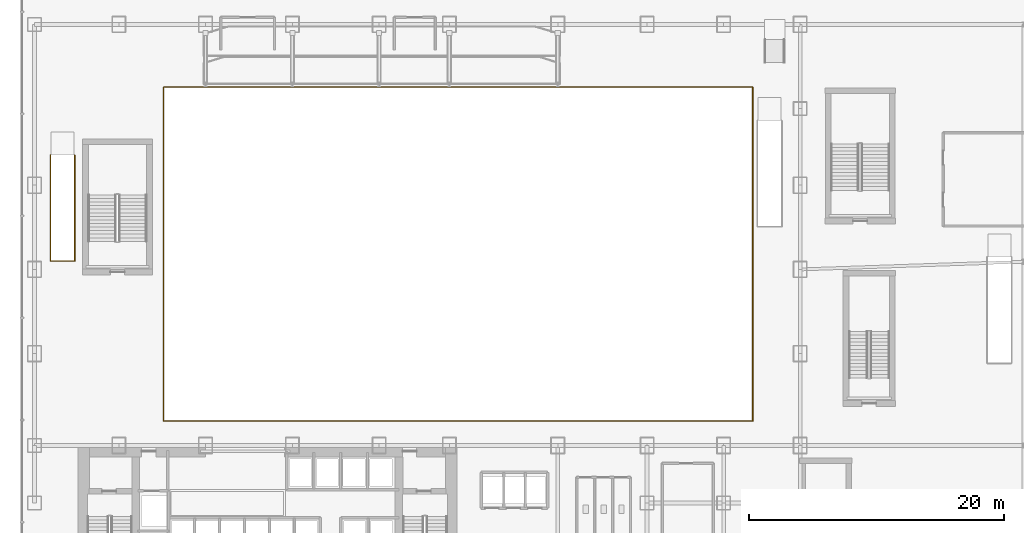
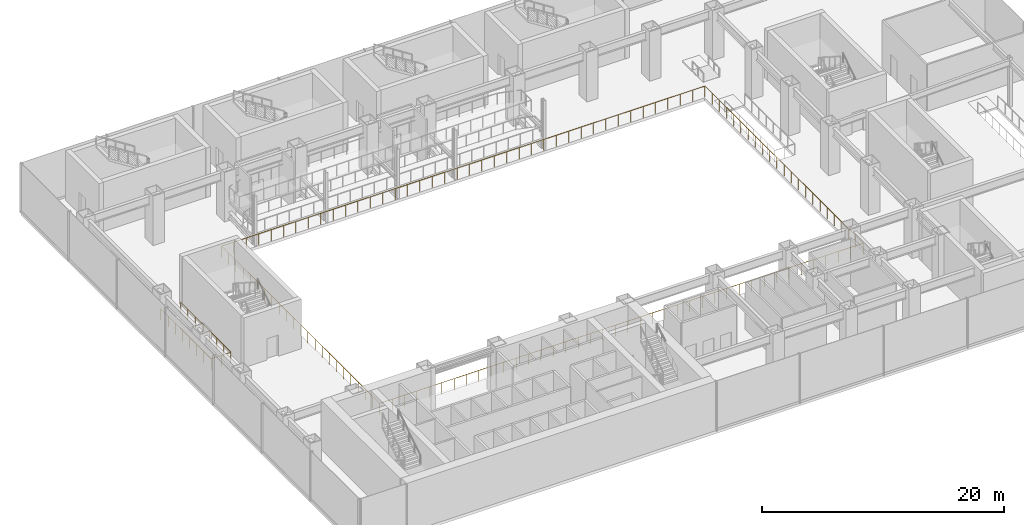
# One storey, part 34 of 39: 2 railings.
"""IFC4 building model written with IfcOpenShell, lengths in metres."""

from ifc_helpers import new_model, si_unit, derived_unit, direction, frame, origin, origin_2d, place, context, subcontext, project, spatial, circle, extrude, material, type_object, element, save


model = new_model("IFC4")

# Units and contexts
model_context = context("Model", 3, precision=1e-05, world=origin(), true_north=direction((0.0, 1.0)))
body_context = subcontext(model_context, "Body", "Model", "MODEL_VIEW")
ifc_project = project(units=[si_unit("LENGTHUNIT", "METRE"), si_unit("AREAUNIT", "SQUARE_METRE"), si_unit("VOLUMEUNIT", "CUBIC_METRE"), si_unit("PLANEANGLEUNIT", "RADIAN"), si_unit("MASSUNIT", "GRAM", prefix="KILO"), derived_unit("THERMALTRANSMITTANCEUNIT", [(si_unit("POWERUNIT", "WATT"), 1), (si_unit("LENGTHUNIT", "METRE"), -2), (si_unit("THERMODYNAMICTEMPERATUREUNIT", "KELVIN"), -1)])], contexts=[model_context])

# Site, building, storey
site_placement = place(None, origin())
site = spatial("IfcSite", under=ifc_project, at=site_placement, CompositionType="ELEMENT")
building_placement = place(site_placement, origin())
building = spatial("IfcBuilding", under=site, at=building_placement, Name="Skarnbrae Concourse Arena and Tower", CompositionType="ELEMENT")
storey_placement = place(building_placement, frame((0.0, 0.0, 11.0)))
storey = spatial("IfcBuildingStorey", under=building, at=storey_placement, Name="L02", CompositionType="ELEMENT", Elevation=11.0)

# Railings
ifc_material = material(Name="Steel CSA G40.21 350W", Category="steel")
railing_type_1 = type_object("IfcRailingType", Name="RAIL-GUARD-1150", PredefinedType="GUARDRAIL", material=ifc_material)
railing_1_placement = place(storey_placement, frame((11.1201171875, 15.919921875, 0.0)))
element("IfcRailing", 1, at=railing_1_placement, inside=storey, type_object=railing_type_1, Name="L02 Arena bowl concourse overlook guardrail", PredefinedType="GUARDRAIL", context=body_context, shape_type="SweptSolid", body=[
    extrude(circle(Radius=0.02392578125, at=origin_2d()), frame((0.0, 0.0, 1.1259765625), z_axis=(1.0, 0.0, 0.0), x_axis=(0.0, 1.0, 0.0)), (0.0, 0.0, 1.0), 46.159912109375),
    extrude(circle(Radius=0.02392578125, at=origin_2d()), frame((46.159912109375, 0.0, 1.1259765625), z_axis=(0.0, 1.0, 0.0), x_axis=(-1.0, 0.0, 0.0)), (0.0, 0.0, 1.0), 26.16015625),
    extrude(circle(Radius=0.02392578125, at=origin_2d()), frame((46.159912109375, 26.16015625, 1.1259765625), z_axis=(-1.0, 0.0, 0.0), x_axis=(0.0, -1.0, 0.0)), (0.0, 0.0, 1.0), 46.159912109375),
    extrude(circle(Radius=0.02392578125, at=origin_2d()), frame((0.0, 26.16015625, 1.1259765625), z_axis=(0.0, -1.0, 0.0), x_axis=(1.0, 0.0, 0.0)), (0.0, 0.0, 1.0), 26.16015625),
    extrude(circle(Radius=0.02099609375, at=origin_2d()), origin(), (0.0, 0.0, 1.0), 1.101806640625),
    extrude(circle(Radius=0.02099609375, at=origin_2d()), frame((1.18359375, 0.0, 0.0)), (0.0, 0.0, 1.0), 1.101806640625),
    extrude(circle(Radius=0.02099609375, at=origin_2d()), frame((2.3671875, 0.0, 0.0)), (0.0, 0.0, 1.0), 1.101806640625),
    extrude(circle(Radius=0.02099609375, at=origin_2d()), frame((3.55078125, 0.0, 0.0)), (0.0, 0.0, 1.0), 1.101806640625),
    extrude(circle(Radius=0.02099609375, at=origin_2d()), frame((4.734375, 0.0, 0.0)), (0.0, 0.0, 1.0), 1.101806640625),
    extrude(circle(Radius=0.02099609375, at=origin_2d()), frame((5.91796875, 0.0, 0.0)), (0.0, 0.0, 1.0), 1.101806640625),
    extrude(circle(Radius=0.02099609375, at=origin_2d()), frame((7.1015625, 0.0, 0.0)), (0.0, 0.0, 1.0), 1.101806640625),
    extrude(circle(Radius=0.02099609375, at=origin_2d()), frame((8.28515625, 0.0, 0.0)), (0.0, 0.0, 1.0), 1.101806640625),
    extrude(circle(Radius=0.02099609375, at=origin_2d()), frame((9.46875, 0.0, 0.0)), (0.0, 0.0, 1.0), 1.101806640625),
    extrude(circle(Radius=0.02099609375, at=origin_2d()), frame((10.65234375, 0.0, 0.0)), (0.0, 0.0, 1.0), 1.101806640625),
    extrude(circle(Radius=0.02099609375, at=origin_2d()), frame((11.8359375, 0.0, 0.0)), (0.0, 0.0, 1.0), 1.101806640625),
    extrude(circle(Radius=0.02099609375, at=origin_2d()), frame((13.01953125, 0.0, 0.0)), (0.0, 0.0, 1.0), 1.101806640625),
    extrude(circle(Radius=0.02099609375, at=origin_2d()), frame((14.203125, 0.0, 0.0)), (0.0, 0.0, 1.0), 1.101806640625),
    extrude(circle(Radius=0.02099609375, at=origin_2d()), frame((15.38671875, 0.0, 0.0)), (0.0, 0.0, 1.0), 1.101806640625),
    extrude(circle(Radius=0.02099609375, at=origin_2d()), frame((16.5703125, 0.0, 0.0)), (0.0, 0.0, 1.0), 1.101806640625),
    extrude(circle(Radius=0.02099609375, at=origin_2d()), frame((17.75390625, 0.0, 0.0)), (0.0, 0.0, 1.0), 1.101806640625),
    extrude(circle(Radius=0.02099609375, at=origin_2d()), frame((18.9375, 0.0, 0.0)), (0.0, 0.0, 1.0), 1.101806640625),
    extrude(circle(Radius=0.02099609375, at=origin_2d()), frame((20.12109375, 0.0, 0.0)), (0.0, 0.0, 1.0), 1.101806640625),
    extrude(circle(Radius=0.02099609375, at=origin_2d()), frame((21.3046875, 0.0, 0.0)), (0.0, 0.0, 1.0), 1.101806640625),
    extrude(circle(Radius=0.02099609375, at=origin_2d()), frame((22.48828125, 0.0, 0.0)), (0.0, 0.0, 1.0), 1.101806640625),
    extrude(circle(Radius=0.02099609375, at=origin_2d()), frame((23.671630859375, 0.0, 0.0)), (0.0, 0.0, 1.0), 1.101806640625),
    extrude(circle(Radius=0.02099609375, at=origin_2d()), frame((24.855224609375, 0.0, 0.0)), (0.0, 0.0, 1.0), 1.101806640625),
    extrude(circle(Radius=0.02099609375, at=origin_2d()), frame((26.038818359375, 0.0, 0.0)), (0.0, 0.0, 1.0), 1.101806640625),
    extrude(circle(Radius=0.02099609375, at=origin_2d()), frame((27.222412109375, 0.0, 0.0)), (0.0, 0.0, 1.0), 1.101806640625),
    extrude(circle(Radius=0.02099609375, at=origin_2d()), frame((28.406005859375, 0.0, 0.0)), (0.0, 0.0, 1.0), 1.101806640625),
    extrude(circle(Radius=0.02099609375, at=origin_2d()), frame((29.589599609375, 0.0, 0.0)), (0.0, 0.0, 1.0), 1.101806640625),
    extrude(circle(Radius=0.02099609375, at=origin_2d()), frame((30.773193359375, 0.0, 0.0)), (0.0, 0.0, 1.0), 1.101806640625),
    extrude(circle(Radius=0.02099609375, at=origin_2d()), frame((31.956787109375, 0.0, 0.0)), (0.0, 0.0, 1.0), 1.101806640625),
    extrude(circle(Radius=0.02099609375, at=origin_2d()), frame((33.140380859375, 0.0, 0.0)), (0.0, 0.0, 1.0), 1.101806640625),
    extrude(circle(Radius=0.02099609375, at=origin_2d()), frame((34.323974609375, 0.0, 0.0)), (0.0, 0.0, 1.0), 1.101806640625),
    extrude(circle(Radius=0.02099609375, at=origin_2d()), frame((35.507568359375, 0.0, 0.0)), (0.0, 0.0, 1.0), 1.101806640625),
    extrude(circle(Radius=0.02099609375, at=origin_2d()), frame((36.691162109375, 0.0, 0.0)), (0.0, 0.0, 1.0), 1.101806640625),
    extrude(circle(Radius=0.02099609375, at=origin_2d()), frame((37.874755859375, 0.0, 0.0)), (0.0, 0.0, 1.0), 1.101806640625),
    extrude(circle(Radius=0.02099609375, at=origin_2d()), frame((39.058349609375, 0.0, 0.0)), (0.0, 0.0, 1.0), 1.101806640625),
    extrude(circle(Radius=0.02099609375, at=origin_2d()), frame((40.241943359375, 0.0, 0.0)), (0.0, 0.0, 1.0), 1.101806640625),
    extrude(circle(Radius=0.02099609375, at=origin_2d()), frame((41.425537109375, 0.0, 0.0)), (0.0, 0.0, 1.0), 1.101806640625),
    extrude(circle(Radius=0.02099609375, at=origin_2d()), frame((42.609130859375, 0.0, 0.0)), (0.0, 0.0, 1.0), 1.101806640625),
    extrude(circle(Radius=0.02099609375, at=origin_2d()), frame((43.792724609375, 0.0, 0.0)), (0.0, 0.0, 1.0), 1.101806640625),
    extrude(circle(Radius=0.02099609375, at=origin_2d()), frame((44.976318359375, 0.0, 0.0)), (0.0, 0.0, 1.0), 1.101806640625),
    extrude(circle(Radius=0.02099609375, at=origin_2d()), frame((46.159912109375, 0.0, 0.0)), (0.0, 0.0, 1.0), 1.101806640625),
    extrude(circle(Radius=0.02099609375, at=origin_2d()), frame((46.159912109375, 1.189208984375, 0.0)), (0.0, 0.0, 1.0), 1.101806640625),
    extrude(circle(Radius=0.02099609375, at=origin_2d()), frame((46.159912109375, 2.378173828125, 0.0)), (0.0, 0.0, 1.0), 1.101806640625),
    extrude(circle(Radius=0.02099609375, at=origin_2d()), frame((46.159912109375, 3.5673828125, 0.0)), (0.0, 0.0, 1.0), 1.101806640625),
    extrude(circle(Radius=0.02099609375, at=origin_2d()), frame((46.159912109375, 4.75634765625, 0.0)), (0.0, 0.0, 1.0), 1.101806640625),
    extrude(circle(Radius=0.02099609375, at=origin_2d()), frame((46.159912109375, 5.945556640625, 0.0)), (0.0, 0.0, 1.0), 1.101806640625),
    extrude(circle(Radius=0.02099609375, at=origin_2d()), frame((46.159912109375, 7.134521484375, 0.0)), (0.0, 0.0, 1.0), 1.101806640625),
    extrude(circle(Radius=0.02099609375, at=origin_2d()), frame((46.159912109375, 8.32373046875, 0.0)), (0.0, 0.0, 1.0), 1.101806640625),
    extrude(circle(Radius=0.02099609375, at=origin_2d()), frame((46.159912109375, 9.5126953125, 0.0)), (0.0, 0.0, 1.0), 1.101806640625),
    extrude(circle(Radius=0.02099609375, at=origin_2d()), frame((46.159912109375, 10.701904296875, 0.0)), (0.0, 0.0, 1.0), 1.101806640625),
    extrude(circle(Radius=0.02099609375, at=origin_2d()), frame((46.159912109375, 11.890869140625, 0.0)), (0.0, 0.0, 1.0), 1.101806640625),
    extrude(circle(Radius=0.02099609375, at=origin_2d()), frame((46.159912109375, 13.080078125, 0.0)), (0.0, 0.0, 1.0), 1.101806640625),
    extrude(circle(Radius=0.02099609375, at=origin_2d()), frame((46.159912109375, 14.269287109375, 0.0)), (0.0, 0.0, 1.0), 1.101806640625),
    extrude(circle(Radius=0.02099609375, at=origin_2d()), frame((46.159912109375, 15.458251953125, 0.0)), (0.0, 0.0, 1.0), 1.101806640625),
    extrude(circle(Radius=0.02099609375, at=origin_2d()), frame((46.159912109375, 16.6474609375, 0.0)), (0.0, 0.0, 1.0), 1.101806640625),
    extrude(circle(Radius=0.02099609375, at=origin_2d()), frame((46.159912109375, 17.83642578125, 0.0)), (0.0, 0.0, 1.0), 1.101806640625),
    extrude(circle(Radius=0.02099609375, at=origin_2d()), frame((46.159912109375, 19.025634765625, 0.0)), (0.0, 0.0, 1.0), 1.101806640625),
    extrude(circle(Radius=0.02099609375, at=origin_2d()), frame((46.159912109375, 20.214599609375, 0.0)), (0.0, 0.0, 1.0), 1.101806640625),
    extrude(circle(Radius=0.02099609375, at=origin_2d()), frame((46.159912109375, 21.40380859375, 0.0)), (0.0, 0.0, 1.0), 1.101806640625),
    extrude(circle(Radius=0.02099609375, at=origin_2d()), frame((46.159912109375, 22.5927734375, 0.0)), (0.0, 0.0, 1.0), 1.101806640625),
    extrude(circle(Radius=0.02099609375, at=origin_2d()), frame((46.159912109375, 23.781982421875, 0.0)), (0.0, 0.0, 1.0), 1.101806640625),
    extrude(circle(Radius=0.02099609375, at=origin_2d()), frame((46.159912109375, 24.970947265625, 0.0)), (0.0, 0.0, 1.0), 1.101806640625),
    extrude(circle(Radius=0.02099609375, at=origin_2d()), frame((46.159912109375, 26.16015625, 0.0)), (0.0, 0.0, 1.0), 1.101806640625),
    extrude(circle(Radius=0.02099609375, at=origin_2d()), frame((44.976318359375, 26.16015625, 0.0)), (0.0, 0.0, 1.0), 1.101806640625),
    extrude(circle(Radius=0.02099609375, at=origin_2d()), frame((43.792724609375, 26.16015625, 0.0)), (0.0, 0.0, 1.0), 1.101806640625),
    extrude(circle(Radius=0.02099609375, at=origin_2d()), frame((42.609130859375, 26.16015625, 0.0)), (0.0, 0.0, 1.0), 1.101806640625),
    extrude(circle(Radius=0.02099609375, at=origin_2d()), frame((41.425537109375, 26.16015625, 0.0)), (0.0, 0.0, 1.0), 1.101806640625),
    extrude(circle(Radius=0.02099609375, at=origin_2d()), frame((40.241943359375, 26.16015625, 0.0)), (0.0, 0.0, 1.0), 1.101806640625),
    extrude(circle(Radius=0.02099609375, at=origin_2d()), frame((39.058349609375, 26.16015625, 0.0)), (0.0, 0.0, 1.0), 1.101806640625),
    extrude(circle(Radius=0.02099609375, at=origin_2d()), frame((37.874755859375, 26.16015625, 0.0)), (0.0, 0.0, 1.0), 1.101806640625),
    extrude(circle(Radius=0.02099609375, at=origin_2d()), frame((36.691162109375, 26.16015625, 0.0)), (0.0, 0.0, 1.0), 1.101806640625),
    extrude(circle(Radius=0.02099609375, at=origin_2d()), frame((35.507568359375, 26.16015625, 0.0)), (0.0, 0.0, 1.0), 1.101806640625),
    extrude(circle(Radius=0.02099609375, at=origin_2d()), frame((34.323974609375, 26.16015625, 0.0)), (0.0, 0.0, 1.0), 1.101806640625),
    extrude(circle(Radius=0.02099609375, at=origin_2d()), frame((33.140380859375, 26.16015625, 0.0)), (0.0, 0.0, 1.0), 1.101806640625),
    extrude(circle(Radius=0.02099609375, at=origin_2d()), frame((31.956787109375, 26.16015625, 0.0)), (0.0, 0.0, 1.0), 1.101806640625),
    extrude(circle(Radius=0.02099609375, at=origin_2d()), frame((30.773193359375, 26.16015625, 0.0)), (0.0, 0.0, 1.0), 1.101806640625),
    extrude(circle(Radius=0.02099609375, at=origin_2d()), frame((29.589599609375, 26.16015625, 0.0)), (0.0, 0.0, 1.0), 1.101806640625),
    extrude(circle(Radius=0.02099609375, at=origin_2d()), frame((28.406005859375, 26.16015625, 0.0)), (0.0, 0.0, 1.0), 1.101806640625),
    extrude(circle(Radius=0.02099609375, at=origin_2d()), frame((27.222412109375, 26.16015625, 0.0)), (0.0, 0.0, 1.0), 1.101806640625),
    extrude(circle(Radius=0.02099609375, at=origin_2d()), frame((26.038818359375, 26.16015625, 0.0)), (0.0, 0.0, 1.0), 1.101806640625),
    extrude(circle(Radius=0.02099609375, at=origin_2d()), frame((24.855224609375, 26.16015625, 0.0)), (0.0, 0.0, 1.0), 1.101806640625),
    extrude(circle(Radius=0.02099609375, at=origin_2d()), frame((23.671630859375, 26.16015625, 0.0)), (0.0, 0.0, 1.0), 1.101806640625),
    extrude(circle(Radius=0.02099609375, at=origin_2d()), frame((22.48828125, 26.16015625, 0.0)), (0.0, 0.0, 1.0), 1.101806640625),
    extrude(circle(Radius=0.02099609375, at=origin_2d()), frame((21.3046875, 26.16015625, 0.0)), (0.0, 0.0, 1.0), 1.101806640625),
    extrude(circle(Radius=0.02099609375, at=origin_2d()), frame((20.12109375, 26.16015625, 0.0)), (0.0, 0.0, 1.0), 1.101806640625),
    extrude(circle(Radius=0.02099609375, at=origin_2d()), frame((18.9375, 26.16015625, 0.0)), (0.0, 0.0, 1.0), 1.101806640625),
    extrude(circle(Radius=0.02099609375, at=origin_2d()), frame((17.75390625, 26.16015625, 0.0)), (0.0, 0.0, 1.0), 1.101806640625),
    extrude(circle(Radius=0.02099609375, at=origin_2d()), frame((16.5703125, 26.16015625, 0.0)), (0.0, 0.0, 1.0), 1.101806640625),
    extrude(circle(Radius=0.02099609375, at=origin_2d()), frame((15.38671875, 26.16015625, 0.0)), (0.0, 0.0, 1.0), 1.101806640625),
    extrude(circle(Radius=0.02099609375, at=origin_2d()), frame((14.203125, 26.16015625, 0.0)), (0.0, 0.0, 1.0), 1.101806640625),
    extrude(circle(Radius=0.02099609375, at=origin_2d()), frame((13.01953125, 26.16015625, 0.0)), (0.0, 0.0, 1.0), 1.101806640625),
    extrude(circle(Radius=0.02099609375, at=origin_2d()), frame((11.8359375, 26.16015625, 0.0)), (0.0, 0.0, 1.0), 1.101806640625),
    extrude(circle(Radius=0.02099609375, at=origin_2d()), frame((10.65234375, 26.16015625, 0.0)), (0.0, 0.0, 1.0), 1.101806640625),
    extrude(circle(Radius=0.02099609375, at=origin_2d()), frame((9.46875, 26.16015625, 0.0)), (0.0, 0.0, 1.0), 1.101806640625),
    extrude(circle(Radius=0.02099609375, at=origin_2d()), frame((8.28515625, 26.16015625, 0.0)), (0.0, 0.0, 1.0), 1.101806640625),
    extrude(circle(Radius=0.02099609375, at=origin_2d()), frame((7.1015625, 26.16015625, 0.0)), (0.0, 0.0, 1.0), 1.101806640625),
    extrude(circle(Radius=0.02099609375, at=origin_2d()), frame((5.91796875, 26.16015625, 0.0)), (0.0, 0.0, 1.0), 1.101806640625),
    extrude(circle(Radius=0.02099609375, at=origin_2d()), frame((4.734375, 26.16015625, 0.0)), (0.0, 0.0, 1.0), 1.101806640625),
    extrude(circle(Radius=0.02099609375, at=origin_2d()), frame((3.55078125, 26.16015625, 0.0)), (0.0, 0.0, 1.0), 1.101806640625),
    extrude(circle(Radius=0.02099609375, at=origin_2d()), frame((2.3671875, 26.16015625, 0.0)), (0.0, 0.0, 1.0), 1.101806640625),
    extrude(circle(Radius=0.02099609375, at=origin_2d()), frame((1.18359375, 26.16015625, 0.0)), (0.0, 0.0, 1.0), 1.101806640625),
    extrude(circle(Radius=0.02099609375, at=origin_2d()), frame((0.0, 26.16015625, 0.0)), (0.0, 0.0, 1.0), 1.101806640625),
    extrude(circle(Radius=0.02099609375, at=origin_2d()), frame((0.0, 24.970947265625, 0.0)), (0.0, 0.0, 1.0), 1.101806640625),
    extrude(circle(Radius=0.02099609375, at=origin_2d()), frame((0.0, 23.781982421875, 0.0)), (0.0, 0.0, 1.0), 1.101806640625),
    extrude(circle(Radius=0.02099609375, at=origin_2d()), frame((0.0, 22.5927734375, 0.0)), (0.0, 0.0, 1.0), 1.101806640625),
    extrude(circle(Radius=0.02099609375, at=origin_2d()), frame((0.0, 21.40380859375, 0.0)), (0.0, 0.0, 1.0), 1.101806640625),
    extrude(circle(Radius=0.02099609375, at=origin_2d()), frame((0.0, 20.214599609375, 0.0)), (0.0, 0.0, 1.0), 1.101806640625),
    extrude(circle(Radius=0.02099609375, at=origin_2d()), frame((0.0, 19.025634765625, 0.0)), (0.0, 0.0, 1.0), 1.101806640625),
    extrude(circle(Radius=0.02099609375, at=origin_2d()), frame((0.0, 17.83642578125, 0.0)), (0.0, 0.0, 1.0), 1.101806640625),
    extrude(circle(Radius=0.02099609375, at=origin_2d()), frame((0.0, 16.6474609375, 0.0)), (0.0, 0.0, 1.0), 1.101806640625),
    extrude(circle(Radius=0.02099609375, at=origin_2d()), frame((0.0, 15.458251953125, 0.0)), (0.0, 0.0, 1.0), 1.101806640625),
    extrude(circle(Radius=0.02099609375, at=origin_2d()), frame((0.0, 14.269287109375, 0.0)), (0.0, 0.0, 1.0), 1.101806640625),
    extrude(circle(Radius=0.02099609375, at=origin_2d()), frame((0.0, 13.080078125, 0.0)), (0.0, 0.0, 1.0), 1.101806640625),
    extrude(circle(Radius=0.02099609375, at=origin_2d()), frame((0.0, 11.890869140625, 0.0)), (0.0, 0.0, 1.0), 1.101806640625),
    extrude(circle(Radius=0.02099609375, at=origin_2d()), frame((0.0, 10.701904296875, 0.0)), (0.0, 0.0, 1.0), 1.101806640625),
    extrude(circle(Radius=0.02099609375, at=origin_2d()), frame((0.0, 9.5126953125, 0.0)), (0.0, 0.0, 1.0), 1.101806640625),
    extrude(circle(Radius=0.02099609375, at=origin_2d()), frame((0.0, 8.32373046875, 0.0)), (0.0, 0.0, 1.0), 1.101806640625),
    extrude(circle(Radius=0.02099609375, at=origin_2d()), frame((0.0, 7.134521484375, 0.0)), (0.0, 0.0, 1.0), 1.101806640625),
    extrude(circle(Radius=0.02099609375, at=origin_2d()), frame((0.0, 5.945556640625, 0.0)), (0.0, 0.0, 1.0), 1.101806640625),
    extrude(circle(Radius=0.02099609375, at=origin_2d()), frame((0.0, 4.75634765625, 0.0)), (0.0, 0.0, 1.0), 1.101806640625),
    extrude(circle(Radius=0.02099609375, at=origin_2d()), frame((0.0, 3.5673828125, 0.0)), (0.0, 0.0, 1.0), 1.101806640625),
    extrude(circle(Radius=0.02099609375, at=origin_2d()), frame((0.0, 2.378173828125, 0.0)), (0.0, 0.0, 1.0), 1.101806640625),
    extrude(circle(Radius=0.02099609375, at=origin_2d()), frame((0.0, 1.189208984375, 0.0)), (0.0, 0.0, 1.0), 1.101806640625),
])
railing_type_2 = type_object("IfcRailingType", Name="RAIL-STAIR-GUARD-1150", PredefinedType="GUARDRAIL", material=ifc_material)
railing_2_placement = place(storey_placement, frame((4.14990234375, 36.760009765625, 0.0)))
element("IfcRailing", 2, at=railing_2_placement, inside=storey, type_object=railing_type_2, Name="ST-CONC-2 Upper well guardrail L02", PredefinedType="GUARDRAIL", context=body_context, shape_type="SweptSolid", body=[
    extrude(circle(Radius=0.02392578125, at=origin_2d()), frame((0.0, 0.0, 1.1259765625), z_axis=(0.0, -1.0, 0.0), x_axis=(1.0, 0.0, 0.0)), (0.0, 0.0, 1.0), 8.31005859375),
    extrude(circle(Radius=0.02392578125, at=origin_2d()), frame((0.0, -8.31005859375, 1.1259765625), z_axis=(-1.0, 0.0, 0.0), x_axis=(0.0, -1.0, 0.0)), (0.0, 0.0, 1.0), 1.89990234375),
    extrude(circle(Radius=0.02392578125, at=origin_2d()), frame((-1.89990234375, -8.31005859375, 1.1259765625), z_axis=(0.0, 1.0, 0.0), x_axis=(-1.0, 0.0, 0.0)), (0.0, 0.0, 1.0), 8.31005859375),
    extrude(circle(Radius=0.02099609375, at=origin_2d()), origin(), (0.0, 0.0, 1.0), 1.101806640625),
    extrude(circle(Radius=0.02099609375, at=origin_2d()), frame((0.0, -1.187255859375, 0.0)), (0.0, 0.0, 1.0), 1.101806640625),
    extrude(circle(Radius=0.02099609375, at=origin_2d()), frame((0.0, -2.374267578125, 0.0)), (0.0, 0.0, 1.0), 1.101806640625),
    extrude(circle(Radius=0.02099609375, at=origin_2d()), frame((0.0, -3.5615234375, 0.0)), (0.0, 0.0, 1.0), 1.101806640625),
    extrude(circle(Radius=0.02099609375, at=origin_2d()), frame((0.0, -4.74853515625, 0.0)), (0.0, 0.0, 1.0), 1.101806640625),
    extrude(circle(Radius=0.02099609375, at=origin_2d()), frame((0.0, -5.935791015625, 0.0)), (0.0, 0.0, 1.0), 1.101806640625),
    extrude(circle(Radius=0.02099609375, at=origin_2d()), frame((0.0, -7.122802734375, 0.0)), (0.0, 0.0, 1.0), 1.101806640625),
    extrude(circle(Radius=0.02099609375, at=origin_2d()), frame((0.0, -8.31005859375, 0.0)), (0.0, 0.0, 1.0), 1.101806640625),
    extrude(circle(Radius=0.02099609375, at=origin_2d()), frame((-0.949951171875, -8.31005859375, 0.0)), (0.0, 0.0, 1.0), 1.101806640625),
    extrude(circle(Radius=0.02099609375, at=origin_2d()), frame((-1.89990234375, -8.31005859375, 0.0)), (0.0, 0.0, 1.0), 1.101806640625),
    extrude(circle(Radius=0.02099609375, at=origin_2d()), frame((-1.89990234375, -7.122802734375, 0.0)), (0.0, 0.0, 1.0), 1.101806640625),
    extrude(circle(Radius=0.02099609375, at=origin_2d()), frame((-1.89990234375, -5.935791015625, 0.0)), (0.0, 0.0, 1.0), 1.101806640625),
    extrude(circle(Radius=0.02099609375, at=origin_2d()), frame((-1.89990234375, -4.74853515625, 0.0)), (0.0, 0.0, 1.0), 1.101806640625),
    extrude(circle(Radius=0.02099609375, at=origin_2d()), frame((-1.89990234375, -3.5615234375, 0.0)), (0.0, 0.0, 1.0), 1.101806640625),
    extrude(circle(Radius=0.02099609375, at=origin_2d()), frame((-1.89990234375, -2.374267578125, 0.0)), (0.0, 0.0, 1.0), 1.101806640625),
    extrude(circle(Radius=0.02099609375, at=origin_2d()), frame((-1.89990234375, -1.187255859375, 0.0)), (0.0, 0.0, 1.0), 1.101806640625),
    extrude(circle(Radius=0.02099609375, at=origin_2d()), frame((-1.89990234375, 0.0, 0.0)), (0.0, 0.0, 1.0), 1.101806640625),
])

save(model, "model.ifc")
